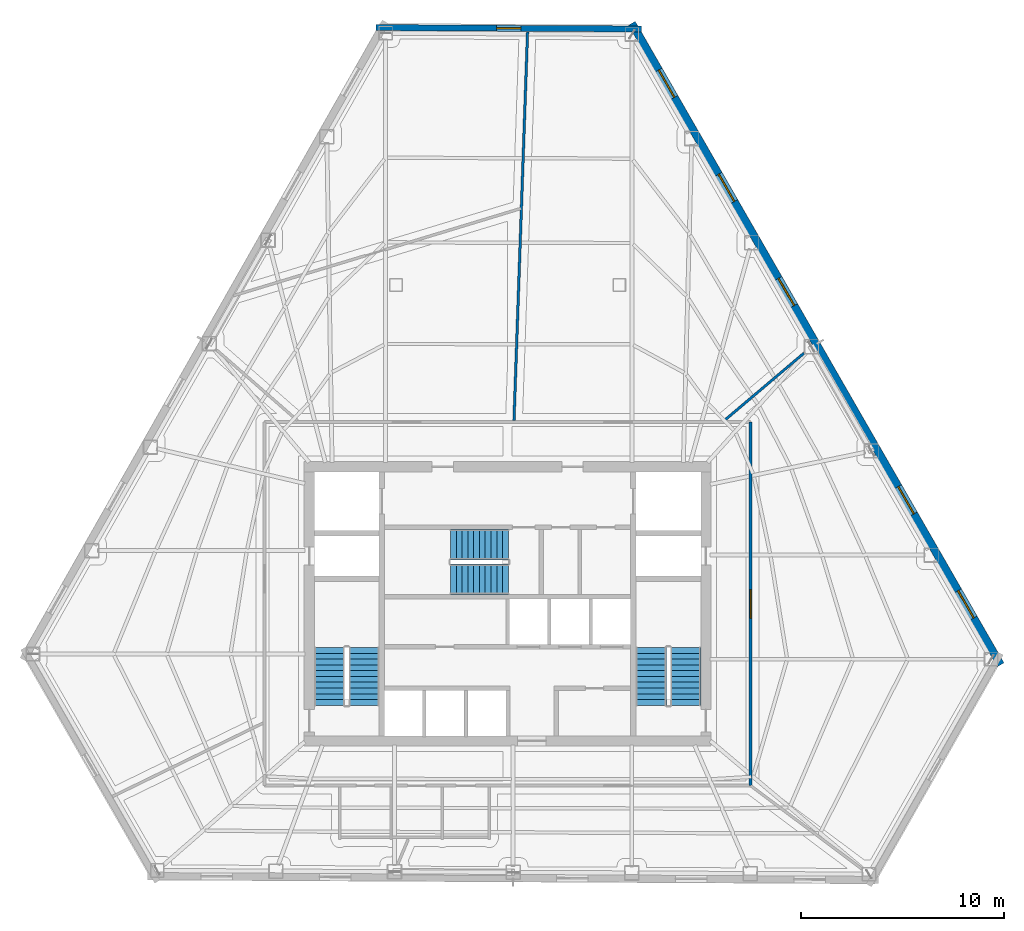
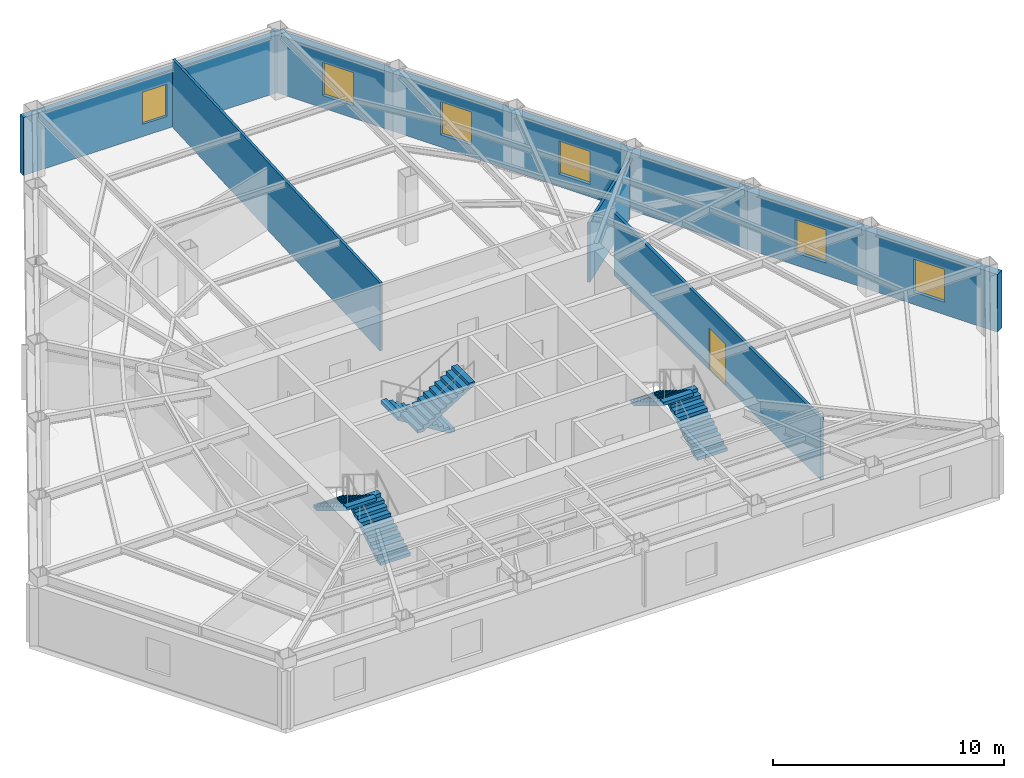
# One storey, part 9 of 12: 6 stair flights, 6 windows, 5 walls, 1 door, 7 openings, 3 elements without a shape of their own.
"""IFC4 building model written with IfcOpenShell, lengths in metres."""

import ifcopenshell
import ifcopenshell.guid

model = None  # the IFC model being written
_history = None  # IfcOwnerHistory: only IFC2X3 demands one
_inside = {}  # id of a spatial element -> (the spatial element, [elements in it])
_under = {}  # id of a project, library or spatial element -> (it, [spatial elements below it])
_declared = {}  # id of a project -> (the project, [libraries it declares])
_typed = {}  # id of a type object -> (the type object, [elements of that type])
_made_of = {}  # id of a material, layer set ... -> (it, [elements and type objects made of it])


def new_model(schema):
    """Start an empty IFC model of exactly this schema.

    Asked for "IFC4X3", IfcOpenShell would pick the latest addendum, in which some entities
    have other attributes; the version numbers below select the first issue.
    IFC2X3 requires an IfcOwnerHistory on every rooted entity: one is made here for all.
    """
    global model, _history
    if schema == "IFC4X3":
        model = ifcopenshell.file(schema_version=(4, 3, 0, 0))
    else:
        model = ifcopenshell.file(schema=schema)
    _inside.clear()
    _under.clear()
    _declared.clear()
    _typed.clear()
    _made_of.clear()
    _history = None
    if model.schema == "IFC2X3":
        org = make("IfcOrganization", Name="unknown")
        user = make(
            "IfcPersonAndOrganization",
            ThePerson=make("IfcPerson", FamilyName="unknown"),
            TheOrganization=org,
        )
        app = make(
            "IfcApplication",
            ApplicationDeveloper=org,
            Version="unknown",
            ApplicationFullName="unknown",
            ApplicationIdentifier="unknown",
        )
        _history = make(
            "IfcOwnerHistory",
            OwningUser=user,
            OwningApplication=app,
            ChangeAction="ADDED",
            CreationDate=0,
        )
    return model


def make(cls, **values):
    """One entity of the class cls with the attributes given. An attribute that is None is left unset."""
    return model.create_entity(
        cls, **{name: value for name, value in values.items() if value is not None}
    )


def rooted(cls, **values):
    """An entity with a GlobalId (a new one), such as an element, a storey or a relation."""
    return make(cls, GlobalId=ifcopenshell.guid.new(), OwnerHistory=_history, **values)


def si_unit(unit_type, name, prefix=None):
    """IfcSIUnit, for example si_unit("LENGTHUNIT", "METRE", prefix="MILLI")."""
    return make("IfcSIUnit", UnitType=unit_type, Prefix=prefix, Name=name)


def assignment(units):
    """IfcUnitAssignment: the units of a project."""
    return None if units is None else make("IfcUnitAssignment", Units=units)


def point(xyz):
    """IfcCartesianPoint."""
    return None if xyz is None else make("IfcCartesianPoint", Coordinates=xyz)


def direction(xyz):
    """IfcDirection."""
    return None if xyz is None else make("IfcDirection", DirectionRatios=xyz)


def frame(location, z_axis=None, x_axis=None):
    """IfcAxis2Placement3D, a coordinate frame: its origin and axes. An axis left out is left unset."""
    return make(
        "IfcAxis2Placement3D",
        Location=point(location),
        Axis=direction(z_axis),
        RefDirection=direction(x_axis),
    )


def frame_2d(location, x_axis=None):
    """IfcAxis2Placement2D, a coordinate frame in the plane: its origin and x axis."""
    return make(
        "IfcAxis2Placement2D", Location=point(location), RefDirection=direction(x_axis)
    )


def origin():
    """The frame at (0, 0, 0) with its axes left unset."""
    return frame((0.0, 0.0, 0.0))


def place(relative_to, where):
    """IfcLocalPlacement: puts the frame where relative to a parent placement (None: the world)."""
    return make(
        "IfcLocalPlacement", PlacementRelTo=relative_to, RelativePlacement=where
    )


def context(
    kind, dimensions, precision=None, world=None, true_north=None, identifier=None
):
    """IfcGeometricRepresentationContext, for example the 3D "Model" context."""
    return make(
        "IfcGeometricRepresentationContext",
        ContextIdentifier=identifier,
        ContextType=kind,
        CoordinateSpaceDimension=dimensions,
        Precision=precision,
        WorldCoordinateSystem=world,
        TrueNorth=true_north,
    )


def subcontext(parent, identifier, kind, view, scale=None):
    """IfcGeometricRepresentationSubContext, for example "Body" below "Model"."""
    return make(
        "IfcGeometricRepresentationSubContext",
        ContextIdentifier=identifier,
        ContextType=kind,
        ParentContext=parent,
        TargetScale=scale,
        TargetView=view,
    )


def project(units=None, contexts=None):
    """IfcProject with its units and contexts."""
    return rooted(
        "IfcProject",
        Name="project",
        RepresentationContexts=contexts,
        UnitsInContext=assignment(units),
    )


def spatial(cls, under=None, at=None, **own):
    """A site, building, storey or space (cls), placed at a placement, below another one or the project."""
    s = rooted(cls, ObjectPlacement=at, **own)
    if under is not None:
        _under.setdefault(under.id(), (under, []))[1].append(s)
    return s


def polyline(points):
    """IfcPolyline through the points."""
    return make("IfcPolyline", Points=[point(p) for p in points])


def profile(cls, at=None, kind="AREA", **sizes):
    """A parametric profile (cls). Its sizes go by their IFC names, for example OverallWidth=200.0."""
    return make(cls, ProfileType=kind, Position=at, **sizes)


def rectangle(**sizes):
    """IfcRectangleProfileDef."""
    return profile("IfcRectangleProfileDef", **sizes)


def outline(outer, holes=None, kind="AREA"):
    """IfcArbitraryClosedProfileDef: a profile drawn as a closed curve; with holes, ...WithVoids."""
    if holes is None:
        return make("IfcArbitraryClosedProfileDef", ProfileType=kind, OuterCurve=outer)
    return make(
        "IfcArbitraryProfileDefWithVoids",
        ProfileType=kind,
        OuterCurve=outer,
        InnerCurves=holes,
    )


def extrude(swept, where, along, depth):
    """IfcExtrudedAreaSolid: the profile swept, set in the frame where, extruded along a direction by depth."""
    return make(
        "IfcExtrudedAreaSolid",
        SweptArea=swept,
        Position=where,
        ExtrudedDirection=direction(along),
        Depth=depth,
    )


def shape(context_of_items, identifier, shape_type, items):
    """IfcShapeRepresentation: the items that make up one representation, for example the "Body"."""
    return make(
        "IfcShapeRepresentation",
        ContextOfItems=context_of_items,
        RepresentationIdentifier=identifier,
        RepresentationType=shape_type,
        Items=items,
    )


def material(Name=None, Category=None):
    """IfcMaterial."""
    return make("IfcMaterial", Name=Name, Category=Category)


def layer(
    of_material, thickness, ventilated=None, Name=None, Category=None, Priority=None
):
    """IfcMaterialLayer: one layer of a wall or slab, of a material (None: an air gap)."""
    return make(
        "IfcMaterialLayer",
        Material=of_material,
        LayerThickness=thickness,
        IsVentilated=ventilated,
        Name=Name,
        Category=Category,
        Priority=Priority,
    )


def layer_set(layers, Name=None):
    """IfcMaterialLayerSet."""
    return make("IfcMaterialLayerSet", MaterialLayers=layers, LayerSetName=Name)


def made_of(thing, what):
    """Note that an element or type object is made of a material, layer set ...; save() writes the relation."""
    if what is not None:
        _made_of.setdefault(what.id(), (what, []))[1].append(thing)
    return thing


def type_object(cls, material=None, **own):
    """A type object (cls), such as IfcWallType, which elements share."""
    return made_of(rooted(cls, **own), material)


def element(
    cls,
    number,
    at=None,
    inside=None,
    cuts=None,
    type_object=None,
    material=None,
    context=None,
    identifier="Body",
    shape_type=None,
    held_by="IfcProductDefinitionShape",
    body=None,
    shapes=None,
    **own,
):
    """One element of the class cls, such as IfcWall. Its Tag is "e" and its number.

    at: its placement. inside: the storey or other place that contains it. cuts: it is an
    opening in that element (IfcRelVoidsElement). A single representation is given by context,
    identifier, shape_type and body (its items); several are given by shapes. held_by: the class
    of the entity that holds the representations. save() writes the other relations.
    """
    e = rooted(cls, Tag="e%d" % number, ObjectPlacement=at, **own)
    if body is not None:
        shapes = [shape(context, identifier, shape_type, body)]
    if shapes is not None:
        e.Representation = make(held_by, Representations=shapes)
    if inside is not None:
        _inside.setdefault(inside.id(), (inside, []))[1].append(e)
    if cuts is not None:
        rooted(
            "IfcRelVoidsElement", RelatingBuildingElement=cuts, RelatedOpeningElement=e
        )
    if type_object is not None:
        _typed.setdefault(type_object.id(), (type_object, []))[1].append(e)
    return made_of(e, material)


def fill(opening, filler):
    """IfcRelFillsElement: the door or window that sits in an opening."""
    return rooted(
        "IfcRelFillsElement",
        RelatingOpeningElement=opening,
        RelatedBuildingElement=filler,
    )


def aggregate(whole, parts):
    """IfcRelAggregates: a whole, such as a stair, and the parts it consists of."""
    return rooted("IfcRelAggregates", RelatingObject=whole, RelatedObjects=parts)


def save(model, path):
    """Write the relations noted so far, then the file.

    IfcRelAggregates (storeys below a building ...), IfcRelContainedInSpatialStructure (elements
    in a storey), IfcRelDefinesByType, IfcRelAssociatesMaterial and IfcRelDeclares: one each for
    every whole, place, type object, material and project.
    """
    for whole, parts in _under.values():
        aggregate(whole, parts)
    for where, things in _inside.values():
        rooted(
            "IfcRelContainedInSpatialStructure",
            RelatedElements=things,
            RelatingStructure=where,
        )
    for kind, things in _typed.values():
        rooted("IfcRelDefinesByType", RelatedObjects=things, RelatingType=kind)
    for what, things in _made_of.values():
        rooted("IfcRelAssociatesMaterial", RelatedObjects=things, RelatingMaterial=what)
    for by, libraries in _declared.values():
        rooted("IfcRelDeclares", RelatingContext=by, RelatedDefinitions=libraries)
    model.write(path)


model = new_model("IFC4")

# Units and contexts
model_context = context("Model", 3, precision=1e-05, world=origin(), true_north=direction((0.0, 1.0)))
body_context = subcontext(model_context, "Body", "Model", "MODEL_VIEW")
ifc_project = project(units=[si_unit("LENGTHUNIT", "METRE"), si_unit("AREAUNIT", "SQUARE_METRE"), si_unit("VOLUMEUNIT", "CUBIC_METRE"), si_unit("PLANEANGLEUNIT", "RADIAN"), si_unit("MASSUNIT", "GRAM", prefix="KILO")], contexts=[model_context])

# Site, building, storey
site_placement = place(None, origin())
site = spatial("IfcSite", under=ifc_project, at=site_placement, CompositionType="ELEMENT")
building_placement = place(site_placement, origin())
building = spatial("IfcBuilding", under=site, at=building_placement, Name="Kavelnor Concourse Tower", CompositionType="ELEMENT")
storey_placement = place(building_placement, frame((0.0, 0.0, 104.75)))
storey = spatial("IfcBuildingStorey", under=building, at=storey_placement, Name="L26", CompositionType="ELEMENT", Elevation=104.75)

# Wall, opening, window
ifc_material_1 = material(Name="Buff ironspot clay face brick masonry", Category="masonry")
ifc_layer_1 = layer(ifc_material_1, 0.300048828125, Name="Buff ironspot clay face brick masonry")
ifc_layer_set_1 = layer_set([ifc_layer_1], Name="Buff ironspot clay face brick masonry")
wall_type_1 = type_object("IfcWallType", Name="WL-EXT-BUFF-BRICK-FOLD-300", PredefinedType="STANDARD", material=ifc_layer_set_1)
wall_1_placement = place(storey_placement, frame((31.510986328125, 44.476806640625, 0.0), z_axis=(0.0, 0.0, 1.0), x_axis=(0.999986654587, -0.005166299301, 0.0)))
wall_1 = element("IfcWall", 1, at=wall_1_placement, inside=storey, type_object=wall_type_1, Name="L26 Exterior Brick Facade Wall E0", PredefinedType="STANDARD", context=body_context, shape_type="SweptSolid", body=[
    extrude(rectangle(XDim=13.090087890625, YDim=0.300048828125, at=frame_2d((6.544921875, 0.0))), origin(), (0.0, 0.0, 1.0), 3.05908203125),
])
opening_1_placement = place(wall_1_placement, frame((5.94482421875, 0.0, 0.64990234375)))
opening_1 = element("IfcOpeningElement", 2, at=opening_1_placement, cuts=wall_1, Name="Opening W-05", PredefinedType="OPENING", context=body_context, shape_type="SweptSolid", body=[
    extrude(rectangle(XDim=1.199951171875, YDim=1.699951171875, at=frame_2d((0.60009765625, 0.85009765625))), frame((0.0, 0.16015625, 0.0), z_axis=(0.0, -1.0, 0.0), x_axis=(1.0, 0.0, 0.0)), (0.0, 0.0, 1.0), 0.320068359375),
])
ifc_material_2 = material(Name="Double low-E argon insulated glazing", Category="glass")
window_type_1 = type_object("IfcWindowType", Name="WIN-FOLD-1200", PartitioningType="SINGLE_PANEL", PredefinedType="WINDOW", material=ifc_material_2)
window_1_placement = place(opening_1_placement, origin())
window_1 = element("IfcWindow", 3, at=window_1_placement, inside=storey, type_object=window_type_1, Name="L26 Chamfer-Fold Facet Window C0", OverallHeight=1.699951171875, OverallWidth=1.199951171875, PartitioningType="SINGLE_PANEL", PredefinedType="WINDOW", context=body_context, shape_type="SweptSolid", body=[
    extrude(rectangle(XDim=1.199951171875, YDim=1.699951171875, at=frame_2d((0.60009765625, 0.85009765625))), frame((0.0, 0.030029296875, 0.0), z_axis=(0.0, -1.0, 0.0), x_axis=(1.0, 0.0, 0.0)), (0.0, 0.0, 1.0), 0.06005859375),
])
fill(opening_1, window_1)

# Wall, openings, windows
ifc_material_3 = material(Name="Red-ochre clay face brick masonry", Category="masonry")
ifc_layer_2 = layer(ifc_material_3, 0.3798828125, Name="Red-ochre clay face brick masonry")
ifc_layer_set_2 = layer_set([ifc_layer_2], Name="Red-ochre clay face brick masonry")
wall_type_2 = type_object("IfcWallType", Name="WL-EXT-RED-BRICK-PIER-380", PredefinedType="STANDARD", material=ifc_layer_set_2)
wall_2_placement = place(storey_placement, frame((44.1201171875, 44.688720703125, 0.0), z_axis=(0.0, 0.0, 1.0), x_axis=(0.498376840975, -0.866960509124, 0.0)))
wall_2 = element("IfcWall", 4, at=wall_2_placement, inside=storey, type_object=wall_type_2, Name="L26 Exterior Brick Facade Wall E5", PredefinedType="STANDARD", context=body_context, shape_type="SweptSolid", body=[
    extrude(rectangle(XDim=36.440673828125, YDim=0.3798828125, at=frame_2d((18.22021484375, 0.0))), origin(), (0.0, 0.0, 1.0), 3.05908203125),
])
opening_2_placement = place(wall_2_placement, frame((32.23388671875, 0.0, 0.64990234375)))
opening_2 = element("IfcOpeningElement", 5, at=opening_2_placement, cuts=wall_2, Name="Opening W-02", PredefinedType="OPENING", context=body_context, shape_type="SweptSolid", body=[
    extrude(rectangle(XDim=1.550048828125, YDim=1.75, at=frame_2d((0.77490234375, 0.875))), frame((0.0, 0.199951171875, 0.0), z_axis=(0.0, -1.0, 0.0), x_axis=(1.0, 0.0, 0.0)), (0.0, 0.0, 1.0), 0.39990234375),
])
opening_3_placement = place(wall_2_placement, frame((26.31884765625, 0.0, 0.64990234375)))
opening_3 = element("IfcOpeningElement", 6, at=opening_3_placement, cuts=wall_2, Name="Opening W-02", PredefinedType="OPENING", context=body_context, shape_type="SweptSolid", body=[
    extrude(rectangle(XDim=1.550048828125, YDim=1.75, at=frame_2d((0.77490234375, 0.875))), frame((0.0, 0.199951171875, 0.0), z_axis=(0.0, -1.0, 0.0), x_axis=(1.0, 0.0, 0.0)), (0.0, 0.0, 1.0), 0.39990234375),
])
opening_4_placement = place(wall_2_placement, frame((14.488525390625, 0.0, 0.64990234375)))
opening_4 = element("IfcOpeningElement", 7, at=opening_4_placement, cuts=wall_2, Name="Opening W-02", PredefinedType="OPENING", context=body_context, shape_type="SweptSolid", body=[
    extrude(rectangle(XDim=1.550048828125, YDim=1.75, at=frame_2d((0.77490234375, 0.875))), frame((0.0, 0.199951171875, 0.0), z_axis=(0.0, -1.0, 0.0), x_axis=(1.0, 0.0, 0.0)), (0.0, 0.0, 1.0), 0.39990234375),
])
opening_5_placement = place(wall_2_placement, frame((8.573486328125, 0.0, 0.64990234375)))
opening_5 = element("IfcOpeningElement", 8, at=opening_5_placement, cuts=wall_2, Name="Opening W-02", PredefinedType="OPENING", context=body_context, shape_type="SweptSolid", body=[
    extrude(rectangle(XDim=1.550048828125, YDim=1.75, at=frame_2d((0.77490234375, 0.875))), frame((0.0, 0.199951171875, 0.0), z_axis=(0.0, -1.0, 0.0), x_axis=(1.0, 0.0, 0.0)), (0.0, 0.0, 1.0), 0.39990234375),
])
opening_6_placement = place(wall_2_placement, frame((2.658447265625, 0.0, 0.64990234375)))
opening_6 = element("IfcOpeningElement", 9, at=opening_6_placement, cuts=wall_2, Name="Opening W-02", PredefinedType="OPENING", context=body_context, shape_type="SweptSolid", body=[
    extrude(rectangle(XDim=1.550048828125, YDim=1.75, at=frame_2d((0.77490234375, 0.875))), frame((0.0, 0.199951171875, 0.0), z_axis=(0.0, -1.0, 0.0), x_axis=(1.0, 0.0, 0.0)), (0.0, 0.0, 1.0), 0.39990234375),
])
window_type_2 = type_object("IfcWindowType", Name="WIN-PIER-Z2-1650", PartitioningType="SINGLE_PANEL", PredefinedType="WINDOW", material=ifc_material_2)
window_2_placement = place(opening_2_placement, origin())
window_2 = element("IfcWindow", 10, at=window_2_placement, inside=storey, type_object=window_type_2, Name="L26 Deep-Set Brick Pier Window F2-B0", OverallHeight=1.75, OverallWidth=1.550048828125, PartitioningType="SINGLE_PANEL", PredefinedType="WINDOW", context=body_context, shape_type="SweptSolid", body=[
    extrude(rectangle(XDim=1.550048828125, YDim=1.75, at=frame_2d((0.77490234375, 0.875))), frame((0.0, 0.030029296875, 0.0), z_axis=(0.0, -1.0, 0.0), x_axis=(1.0, 0.0, 0.0)), (0.0, 0.0, 1.0), 0.06005859375),
])
fill(opening_2, window_2)
window_3_placement = place(opening_3_placement, origin())
window_3 = element("IfcWindow", 11, at=window_3_placement, inside=storey, type_object=window_type_2, Name="L26 Deep-Set Brick Pier Window F2-B1", OverallHeight=1.75, OverallWidth=1.550048828125, PartitioningType="SINGLE_PANEL", PredefinedType="WINDOW", context=body_context, shape_type="SweptSolid", body=[
    extrude(rectangle(XDim=1.550048828125, YDim=1.75, at=frame_2d((0.77490234375, 0.875))), frame((0.0, 0.030029296875, 0.0), z_axis=(0.0, -1.0, 0.0), x_axis=(1.0, 0.0, 0.0)), (0.0, 0.0, 1.0), 0.06005859375),
])
fill(opening_3, window_3)
window_4_placement = place(opening_4_placement, origin())
window_4 = element("IfcWindow", 12, at=window_4_placement, inside=storey, type_object=window_type_2, Name="L26 Deep-Set Brick Pier Window F2-B3", OverallHeight=1.75, OverallWidth=1.550048828125, PartitioningType="SINGLE_PANEL", PredefinedType="WINDOW", context=body_context, shape_type="SweptSolid", body=[
    extrude(rectangle(XDim=1.550048828125, YDim=1.75, at=frame_2d((0.77490234375, 0.875))), frame((0.0, 0.030029296875, 0.0), z_axis=(0.0, -1.0, 0.0), x_axis=(1.0, 0.0, 0.0)), (0.0, 0.0, 1.0), 0.06005859375),
])
fill(opening_4, window_4)
window_5_placement = place(opening_5_placement, origin())
window_5 = element("IfcWindow", 13, at=window_5_placement, inside=storey, type_object=window_type_2, Name="L26 Deep-Set Brick Pier Window F2-B4", OverallHeight=1.75, OverallWidth=1.550048828125, PartitioningType="SINGLE_PANEL", PredefinedType="WINDOW", context=body_context, shape_type="SweptSolid", body=[
    extrude(rectangle(XDim=1.550048828125, YDim=1.75, at=frame_2d((0.77490234375, 0.875))), frame((0.0, 0.030029296875, 0.0), z_axis=(0.0, -1.0, 0.0), x_axis=(1.0, 0.0, 0.0)), (0.0, 0.0, 1.0), 0.06005859375),
])
fill(opening_5, window_5)
window_6_placement = place(opening_6_placement, origin())
window_6 = element("IfcWindow", 14, at=window_6_placement, inside=storey, type_object=window_type_2, Name="L26 Deep-Set Brick Pier Window F2-B5", OverallHeight=1.75, OverallWidth=1.550048828125, PartitioningType="SINGLE_PANEL", PredefinedType="WINDOW", context=body_context, shape_type="SweptSolid", body=[
    extrude(rectangle(XDim=1.550048828125, YDim=1.75, at=frame_2d((0.77490234375, 0.875))), frame((0.0, 0.030029296875, 0.0), z_axis=(0.0, -1.0, 0.0), x_axis=(1.0, 0.0, 0.0)), (0.0, 0.0, 1.0), 0.06005859375),
])
fill(opening_6, window_6)

# Wall, opening, door
ifc_material_4 = material(Name="Gypsum plasterboard on light-gauge steel studs", Category="steel")
ifc_layer_3 = layer(ifc_material_4, 0.14501953125, Name="Gypsum plasterboard on light-gauge steel studs")
ifc_layer_set_3 = layer_set([ifc_layer_3], Name="Gypsum plasterboard on light-gauge steel studs")
wall_type_3 = type_object("IfcWallType", Name="WL-INT-CORR-145", PredefinedType="PARTITIONING", material=ifc_layer_set_3)
wall_3_placement = place(storey_placement, frame((49.969970703125, 7.14990234375, 0.0), z_axis=(0.0, 0.0, 1.0), x_axis=(0.0, 1.0, 0.0)))
wall_3 = element("IfcWall", 15, at=wall_3_placement, inside=storey, type_object=wall_type_3, Name="L26 Corridor Wall WL-L26-CR-01", PredefinedType="PARTITIONING", context=body_context, shape_type="SweptSolid", body=[
    extrude(rectangle(XDim=17.900146484375, YDim=0.14501953125, at=frame_2d((8.9501953125, 0.0))), origin(), (0.0, 0.0, 1.0), 3.2880859375),
])
opening_7_placement = place(wall_3_placement, frame((8.25, 0.0, 0.0)))
opening_7 = element("IfcOpeningElement", 16, at=opening_7_placement, cuts=wall_3, Name="Opening SD-140", PredefinedType="OPENING", context=body_context, shape_type="SweptSolid", body=[
    extrude(rectangle(XDim=1.39990234375, YDim=2.199951171875, at=frame_2d((0.699951171875, 1.10009765625))), frame((0.0, 0.08251953125, 0.0), z_axis=(0.0, -1.0, 0.0), x_axis=(1.0, 0.0, 0.0)), (0.0, 0.0, 1.0), 0.1650390625),
])
ifc_material_5 = material(Name="Solid-core hardwood timber", Category="wood")
door_type = type_object("IfcDoorType", Name="DR-SUITE-ENTRY-1400", OperationType="NOTDEFINED", PredefinedType="DOOR", material=ifc_material_5)
door_placement = place(opening_7_placement, origin())
door = element("IfcDoor", 17, at=door_placement, inside=storey, type_object=door_type, Name="L26 Staff Breakout Pantry 07 Door", OperationType="SINGLE_SWING_RIGHT", OverallHeight=2.199951171875, OverallWidth=1.39990234375, PredefinedType="DOOR", context=body_context, shape_type="SweptSolid", body=[
    extrude(rectangle(XDim=1.39990234375, YDim=2.199951171875, at=frame_2d((0.699951171875, 1.10009765625))), frame((0.0, 0.02490234375, 0.0), z_axis=(0.0, -1.0, 0.0), x_axis=(1.0, 0.0, 0.0)), (0.0, 0.0, 1.0), 0.050048828125),
])
fill(opening_7, door)

# Walls
ifc_layer_4 = layer(ifc_material_4, 0.125, Name="Gypsum plasterboard on light-gauge steel studs")
ifc_layer_set_4 = layer_set([ifc_layer_4], Name="Gypsum plasterboard on light-gauge steel studs")
wall_type_4 = type_object("IfcWallType", Name="WL-INT-SUITE-125", PredefinedType="PARTITIONING", material=ifc_layer_set_4)
wall_4_placement = place(storey_placement, frame((48.6787109375, 25.130615234375, 0.0), z_axis=(0.0, 0.0, 1.0), x_axis=(0.763563012799, 0.645733323815, 0.0)))
element("IfcWall", 18, at=wall_4_placement, inside=storey, type_object=wall_type_4, Name="L26 Radial Suite Partition 01", PredefinedType="PARTITIONING", context=body_context, shape_type="SweptSolid", body=[
    extrude(rectangle(XDim=5.13427734375, YDim=0.125, at=frame_2d((2.567138671875, 0.0))), origin(), (0.0, 0.0, 1.0), 3.14111328125),
])
wall_5_placement = place(storey_placement, frame((38.3154296875, 25.130615234375, 0.0), z_axis=(0.0, 0.0, 1.0), x_axis=(0.03489139659, 0.999391109848, 0.0)))
element("IfcWall", 19, at=wall_5_placement, inside=storey, type_object=wall_type_4, Name="L26 Radial Suite Partition 02", PredefinedType="PARTITIONING", context=body_context, shape_type="SweptSolid", body=[
    extrude(rectangle(XDim=19.144287109375, YDim=0.125, at=frame_2d((9.572265625, 0.0))), origin(), (0.0, 0.0, 1.0), 3.60009765625),
])

# Stair, stair flights
ifc_material_6 = material(Name="Concrete C40/50", Category="concrete")
stair_type = type_object("IfcStairType", Name="STR-CORE-1500", PredefinedType="HALF_TURN_STAIR", material=ifc_material_6)
stair_1_placement = place(storey_placement, origin())
stair_1 = element("IfcStair", 20, at=stair_1_placement, inside=storey, type_object=stair_type, Name="L26 ST1", PredefinedType="HALF_TURN_STAIR")
stair_flight_type = type_object("IfcStairFlightType", Name="STR-FLIGHT-1500", PredefinedType="STRAIGHT", material=ifc_material_6)
stair_flight_1_placement = place(storey_placement, frame((30.929931640625, 11.10009765625, 0.0), z_axis=(0.0, 0.0, 1.0), x_axis=(0.0, 1.0, 0.0)))
stair_flight_1 = element("IfcStairFlight", 21, at=stair_flight_1_placement, type_object=stair_flight_type, Name="ST1 flight 1", NumberOfRisers=11, NumberOfTreads=10, PredefinedType="STRAIGHT", RiserHeight=0.175, TreadLength=0.285, context=body_context, shape_type="SweptSolid", body=[
    extrude(outline(polyline([(0.0, 0.0), (0.0, 0.175048828125), (0.284912109375, 0.175048828125), (0.284912109375, 0.35009765625), (0.570068359375, 0.35009765625), (0.570068359375, 0.52490234375), (0.85498046875, 0.52490234375), (0.85498046875, 0.699951171875), (1.139892578125, 0.699951171875), (1.139892578125, 0.875), (1.425048828125, 0.875), (1.425048828125, 1.050048828125), (1.7099609375, 1.050048828125), (1.7099609375, 1.22509765625), (1.9951171875, 1.22509765625), (1.9951171875, 1.39990234375), (2.280029296875, 1.39990234375), (2.280029296875, 1.574951171875), (2.56494140625, 1.574951171875), (2.56494140625, 1.75), (2.85009765625, 1.75), (2.85009765625, 1.925048828125), (2.85009765625, 1.573974609375), (0.286376953125, 0.0), (0.0, 0.0)])), frame((0.0, 0.75, 0.0), z_axis=(0.0, -1.0, 0.0), x_axis=(1.0, 0.0, 0.0)), (0.0, 0.0, 1.0), 1.5),
])
stair_flight_2_placement = place(storey_placement, frame((29.22998046875, 13.949951171875, 1.925048828125), z_axis=(0.0, 0.0, 1.0), x_axis=(0.0, -1.0, 0.0)))
stair_flight_2 = element("IfcStairFlight", 22, at=stair_flight_2_placement, type_object=stair_flight_type, Name="ST1 flight 2", NumberOfRisers=11, NumberOfTreads=10, PredefinedType="STRAIGHT", RiserHeight=0.175, TreadLength=0.285, context=body_context, shape_type="SweptSolid", body=[
    extrude(outline(polyline([(0.0, 0.0), (0.0, 0.175048828125), (0.284912109375, 0.175048828125), (0.284912109375, 0.35009765625), (0.570068359375, 0.35009765625), (0.570068359375, 0.52490234375), (0.85498046875, 0.52490234375), (0.85498046875, 0.699951171875), (1.139892578125, 0.699951171875), (1.139892578125, 0.875), (1.425048828125, 0.875), (1.425048828125, 1.050048828125), (1.7099609375, 1.050048828125), (1.7099609375, 1.22509765625), (1.9951171875, 1.22509765625), (1.9951171875, 1.39990234375), (2.280029296875, 1.39990234375), (2.280029296875, 1.574951171875), (2.56494140625, 1.574951171875), (2.56494140625, 1.75), (2.85009765625, 1.75), (2.85009765625, 1.925048828125), (2.85009765625, 1.573974609375), (0.286376953125, 0.0), (0.0, 0.0)])), frame((0.0, 0.75, 0.0), z_axis=(0.0, -1.0, 0.0), x_axis=(1.0, 0.0, 0.0)), (0.0, 0.0, 1.0), 1.5),
])
aggregate(stair_1, [stair_flight_1, stair_flight_2])

stair_2_placement = place(storey_placement, origin())
stair_2 = element("IfcStair", 23, at=stair_2_placement, inside=storey, type_object=stair_type, Name="L26 ST2", PredefinedType="HALF_TURN_STAIR")
stair_flight_3_placement = place(storey_placement, frame((46.77001953125, 11.10009765625, 0.0), z_axis=(0.0, 0.0, 1.0), x_axis=(0.0, 1.0, 0.0)))
stair_flight_3 = element("IfcStairFlight", 24, at=stair_flight_3_placement, type_object=stair_flight_type, Name="ST2 flight 1", NumberOfRisers=11, NumberOfTreads=10, PredefinedType="STRAIGHT", RiserHeight=0.175, TreadLength=0.285, context=body_context, shape_type="SweptSolid", body=[
    extrude(outline(polyline([(0.0, 0.0), (0.0, 0.175048828125), (0.284912109375, 0.175048828125), (0.284912109375, 0.35009765625), (0.570068359375, 0.35009765625), (0.570068359375, 0.52490234375), (0.85498046875, 0.52490234375), (0.85498046875, 0.699951171875), (1.139892578125, 0.699951171875), (1.139892578125, 0.875), (1.425048828125, 0.875), (1.425048828125, 1.050048828125), (1.7099609375, 1.050048828125), (1.7099609375, 1.22509765625), (1.9951171875, 1.22509765625), (1.9951171875, 1.39990234375), (2.280029296875, 1.39990234375), (2.280029296875, 1.574951171875), (2.56494140625, 1.574951171875), (2.56494140625, 1.75), (2.85009765625, 1.75), (2.85009765625, 1.925048828125), (2.85009765625, 1.573974609375), (0.286376953125, 0.0), (0.0, 0.0)])), frame((0.0, 0.75, 0.0), z_axis=(0.0, -1.0, 0.0), x_axis=(1.0, 0.0, 0.0)), (0.0, 0.0, 1.0), 1.5),
])
stair_flight_4_placement = place(storey_placement, frame((45.070068359375, 13.949951171875, 1.925048828125), z_axis=(0.0, 0.0, 1.0), x_axis=(0.0, -1.0, 0.0)))
stair_flight_4 = element("IfcStairFlight", 25, at=stair_flight_4_placement, type_object=stair_flight_type, Name="ST2 flight 2", NumberOfRisers=11, NumberOfTreads=10, PredefinedType="STRAIGHT", RiserHeight=0.175, TreadLength=0.285, context=body_context, shape_type="SweptSolid", body=[
    extrude(outline(polyline([(0.0, 0.0), (0.0, 0.175048828125), (0.284912109375, 0.175048828125), (0.284912109375, 0.35009765625), (0.570068359375, 0.35009765625), (0.570068359375, 0.52490234375), (0.85498046875, 0.52490234375), (0.85498046875, 0.699951171875), (1.139892578125, 0.699951171875), (1.139892578125, 0.875), (1.425048828125, 0.875), (1.425048828125, 1.050048828125), (1.7099609375, 1.050048828125), (1.7099609375, 1.22509765625), (1.9951171875, 1.22509765625), (1.9951171875, 1.39990234375), (2.280029296875, 1.39990234375), (2.280029296875, 1.574951171875), (2.56494140625, 1.574951171875), (2.56494140625, 1.75), (2.85009765625, 1.75), (2.85009765625, 1.925048828125), (2.85009765625, 1.573974609375), (0.286376953125, 0.0), (0.0, 0.0)])), frame((0.0, 0.75, 0.0), z_axis=(0.0, -1.0, 0.0), x_axis=(1.0, 0.0, 0.0)), (0.0, 0.0, 1.0), 1.5),
])
aggregate(stair_2, [stair_flight_3, stair_flight_4])

stair_3_placement = place(storey_placement, origin())
stair_3 = element("IfcStair", 26, at=stair_3_placement, inside=storey, type_object=stair_type, Name="L26 ST3", PredefinedType="HALF_TURN_STAIR")
stair_flight_5_placement = place(storey_placement, frame((38.0400390625, 19.010009765625, 0.0), z_axis=(0.0, 0.0, 1.0), x_axis=(-1.0, 0.0, 0.0)))
stair_flight_5 = element("IfcStairFlight", 27, at=stair_flight_5_placement, type_object=stair_flight_type, Name="ST3 flight 1", NumberOfRisers=11, NumberOfTreads=10, PredefinedType="STRAIGHT", RiserHeight=0.175, TreadLength=0.285, context=body_context, shape_type="SweptSolid", body=[
    extrude(outline(polyline([(0.0, 0.0), (0.0, 0.175048828125), (0.284912109375, 0.175048828125), (0.284912109375, 0.35009765625), (0.570068359375, 0.35009765625), (0.570068359375, 0.52490234375), (0.85498046875, 0.52490234375), (0.85498046875, 0.699951171875), (1.139892578125, 0.699951171875), (1.139892578125, 0.875), (1.425048828125, 0.875), (1.425048828125, 1.050048828125), (1.7099609375, 1.050048828125), (1.7099609375, 1.22509765625), (1.9951171875, 1.22509765625), (1.9951171875, 1.39990234375), (2.280029296875, 1.39990234375), (2.280029296875, 1.574951171875), (2.56494140625, 1.574951171875), (2.56494140625, 1.75), (2.85009765625, 1.75), (2.85009765625, 1.925048828125), (2.85009765625, 1.573974609375), (0.286376953125, 0.0), (0.0, 0.0)])), frame((0.0, 0.75, 0.0), z_axis=(0.0, -1.0, 0.0), x_axis=(1.0, 0.0, 0.0)), (0.0, 0.0, 1.0), 1.5),
])
stair_flight_6_placement = place(storey_placement, frame((35.18994140625, 17.31005859375, 1.925048828125), z_axis=(0.0, 0.0, 1.0), x_axis=(1.0, 0.0, 0.0)))
stair_flight_6 = element("IfcStairFlight", 28, at=stair_flight_6_placement, type_object=stair_flight_type, Name="ST3 flight 2", NumberOfRisers=11, NumberOfTreads=10, PredefinedType="STRAIGHT", RiserHeight=0.175, TreadLength=0.285, context=body_context, shape_type="SweptSolid", body=[
    extrude(outline(polyline([(0.0, 0.0), (0.0, 0.175048828125), (0.284912109375, 0.175048828125), (0.284912109375, 0.35009765625), (0.570068359375, 0.35009765625), (0.570068359375, 0.52490234375), (0.85498046875, 0.52490234375), (0.85498046875, 0.699951171875), (1.139892578125, 0.699951171875), (1.139892578125, 0.875), (1.425048828125, 0.875), (1.425048828125, 1.050048828125), (1.7099609375, 1.050048828125), (1.7099609375, 1.22509765625), (1.9951171875, 1.22509765625), (1.9951171875, 1.39990234375), (2.280029296875, 1.39990234375), (2.280029296875, 1.574951171875), (2.56494140625, 1.574951171875), (2.56494140625, 1.75), (2.85009765625, 1.75), (2.85009765625, 1.925048828125), (2.85009765625, 1.573974609375), (0.286376953125, 0.0), (0.0, 0.0)])), frame((0.0, 0.75, 0.0), z_axis=(0.0, -1.0, 0.0), x_axis=(1.0, 0.0, 0.0)), (0.0, 0.0, 1.0), 1.5),
])
aggregate(stair_3, [stair_flight_5, stair_flight_6])

save(model, "model.ifc")
